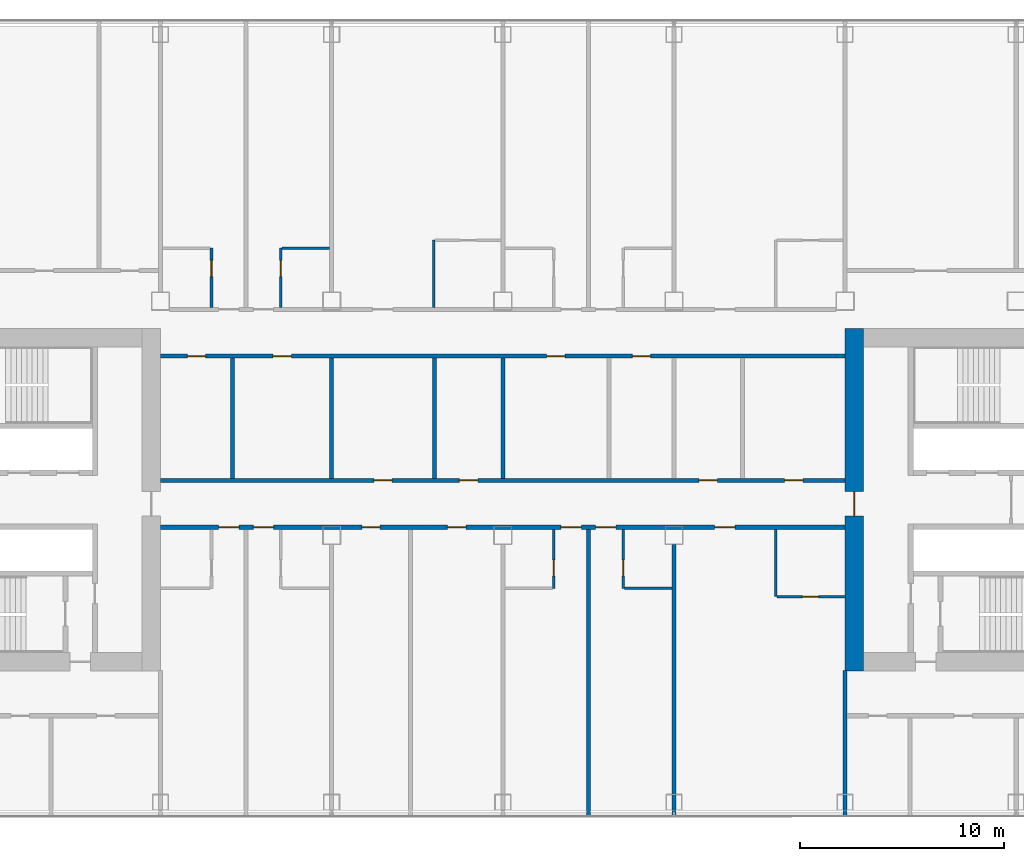
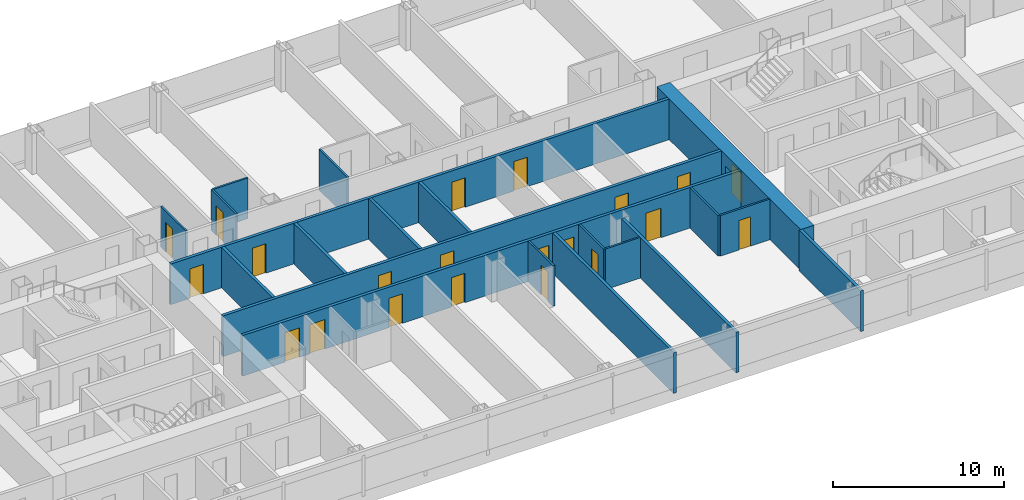
# One storey, part 17 of 29: 21 doors, 20 walls, 21 openings.
"""IFC4 building model written with IfcOpenShell, lengths in metres."""

from ifc_helpers import new_model, si_unit, direction, frame, frame_2d, origin, place, context, subcontext, project, spatial, rectangle, extrude, material, layer, layer_set, type_object, element, fill, save


model = new_model("IFC4")

# Units and contexts
model_context = context("Model", 3, precision=1e-05, world=origin(), true_north=direction((0.0, 1.0)))
body_context = subcontext(model_context, "Body", "Model", "MODEL_VIEW")
ifc_project = project(units=[si_unit("LENGTHUNIT", "METRE"), si_unit("AREAUNIT", "SQUARE_METRE"), si_unit("VOLUMEUNIT", "CUBIC_METRE"), si_unit("PLANEANGLEUNIT", "RADIAN"), si_unit("MASSUNIT", "GRAM", prefix="KILO")], contexts=[model_context])

# Site, building, storey
site_placement = place(None, origin())
site = spatial("IfcSite", under=ifc_project, at=site_placement, CompositionType="ELEMENT")
building_placement = place(site_placement, origin())
building = spatial("IfcBuilding", under=site, at=building_placement, Name="Hakoniwa Tower and Hamabe Station Hall", CompositionType="ELEMENT")
storey_placement = place(building_placement, frame((0.0, 0.0, 117.0)))
storey = spatial("IfcBuildingStorey", under=building, at=storey_placement, Name="L33", CompositionType="ELEMENT", Elevation=117.0)

# Wall, opening, door
ifc_material_1 = material(Name="Gypsum board partition", Category="gypsum")
ifc_layer_1 = layer(ifc_material_1, 0.125)
ifc_layer_set_1 = layer_set([ifc_layer_1], Name="Bathroom Partition 125")
wall_type_1 = type_object("IfcWallType", Name="Bathroom Partition 125", PredefinedType="PARTITIONING", material=ifc_layer_set_1)
wall_1_placement = place(storey_placement, frame((13.46240234375, -4.75, 0.0), z_axis=(0.0, 0.0, 1.0), x_axis=(1.0, 0.0, 0.0)))
wall_1 = element("IfcWall", 1, at=wall_1_placement, inside=storey, type_object=wall_type_1, Name="GW-L33-006", PredefinedType="PARTITIONING", context=body_context, shape_type="SweptSolid", body=[
    extrude(rectangle(XDim=3.34765625, YDim=0.125, at=frame_2d((1.673828125, 0.0))), origin(), (0.0, 0.0, 1.0), 2.89990234375),
])
opening_1_placement = place(wall_1_placement, frame((1.237548828125, 0.0, 0.0)))
opening_1 = element("IfcOpeningElement", 2, at=opening_1_placement, cuts=wall_1, Name="Opening GD-G2D2-19", PredefinedType="OPENING", context=body_context, shape_type="SweptSolid", body=[
    extrude(rectangle(XDim=0.800048828125, YDim=2.10009765625, at=frame_2d((0.39990234375, 1.050048828125))), frame((0.0, 0.072509765625, 0.0), z_axis=(0.0, -1.0, 0.0), x_axis=(1.0, 0.0, 0.0)), (0.0, 0.0, 1.0), 0.14501953125),
])
ifc_material_2 = material(Name="Timber door leaf", Category="wood")
door_type_1 = type_object("IfcDoorType", Name="Bathroom Door 800", OperationType="SINGLE_SWING_LEFT", PredefinedType="DOOR", material=ifc_material_2)
door_1_placement = place(opening_1_placement, origin())
door_1 = element("IfcDoor", 3, at=door_1_placement, inside=storey, type_object=door_type_1, Name="Door GD-G2D2-19", OperationType="SINGLE_SWING_RIGHT", OverallHeight=2.10009765625, OverallWidth=0.800048828125, PredefinedType="DOOR", context=body_context, shape_type="SweptSolid", body=[
    extrude(rectangle(XDim=0.800048828125, YDim=2.10009765625, at=frame_2d((0.39990234375, 1.050048828125))), frame((0.0, 0.02490234375, 0.0), z_axis=(0.0, -1.0, 0.0), x_axis=(1.0, 0.0, 0.0)), (0.0, 0.0, 1.0), 0.050048828125),
])
fill(opening_1, door_1)

# Walls
wall_2_placement = place(storey_placement, frame((5.96240234375, -4.35009765625, 0.0), z_axis=(0.0, 0.0, 1.0), x_axis=(1.0, 0.0, 0.0)))
element("IfcWall", 4, at=wall_2_placement, inside=storey, type_object=wall_type_1, Name="GW-L33-010", PredefinedType="PARTITIONING", context=body_context, shape_type="SweptSolid", body=[
    extrude(rectangle(XDim=2.337646484375, YDim=0.125, at=frame_2d((1.1689453125, 0.0))), origin(), (0.0, 0.0, 1.0), 2.89990234375),
])
wall_3_placement = place(storey_placement, frame((-10.83740234375, 12.35009765625, 0.0), z_axis=(0.0, 0.0, 1.0), x_axis=(1.0, 0.0, 0.0)))
element("IfcWall", 5, at=wall_3_placement, inside=storey, type_object=wall_type_1, Name="GW-L33-024", PredefinedType="PARTITIONING", context=body_context, shape_type="SweptSolid", body=[
    extrude(rectangle(XDim=2.33740234375, YDim=0.125, at=frame_2d((1.168701171875, 0.0))), origin(), (0.0, 0.0, 1.0), 2.89990234375),
])

# Wall, opening, door
wall_4_placement = place(storey_placement, frame((-14.300048828125, 9.449951171875, 0.0), z_axis=(0.0, 0.0, 1.0), x_axis=(0.0, 1.0, 0.0)))
wall_4 = element("IfcWall", 6, at=wall_4_placement, inside=storey, type_object=wall_type_1, Name="GW-L33-045", PredefinedType="PARTITIONING", context=body_context, shape_type="SweptSolid", body=[
    extrude(rectangle(XDim=2.900146484375, YDim=0.125, at=frame_2d((1.4501953125, 0.0))), origin(), (0.0, 0.0, 1.0), 2.89990234375),
])
opening_2_placement = place(wall_4_placement, frame((1.5, 0.0, 0.0)))
opening_2 = element("IfcOpeningElement", 7, at=opening_2_placement, cuts=wall_4, Name="Opening GD-G2D2-56", PredefinedType="OPENING", context=body_context, shape_type="SweptSolid", body=[
    extrude(rectangle(XDim=0.800048828125, YDim=2.10009765625, at=frame_2d((0.39990234375, 1.050048828125))), frame((0.0, 0.072509765625, 0.0), z_axis=(0.0, -1.0, 0.0), x_axis=(1.0, 0.0, 0.0)), (0.0, 0.0, 1.0), 0.14501953125),
])
door_2_placement = place(opening_2_placement, origin())
door_2 = element("IfcDoor", 8, at=door_2_placement, inside=storey, type_object=door_type_1, Name="Door GD-G2D2-56", OperationType="SINGLE_SWING_LEFT", OverallHeight=2.10009765625, OverallWidth=0.800048828125, PredefinedType="DOOR", context=body_context, shape_type="SweptSolid", body=[
    extrude(rectangle(XDim=0.800048828125, YDim=2.10009765625, at=frame_2d((0.39990234375, 1.050048828125))), frame((0.0, 0.02490234375, 0.0), z_axis=(0.0, -1.0, 0.0), x_axis=(1.0, 0.0, 0.0)), (0.0, 0.0, 1.0), 0.050048828125),
])
fill(opening_2, door_2)

wall_5_placement = place(storey_placement, frame((-10.89990234375, 9.449951171875, 0.0), z_axis=(0.0, 0.0, 1.0), x_axis=(0.0, 1.0, 0.0)))
wall_5 = element("IfcWall", 9, at=wall_5_placement, inside=storey, type_object=wall_type_1, Name="GW-L33-050", PredefinedType="PARTITIONING", context=body_context, shape_type="SweptSolid", body=[
    extrude(rectangle(XDim=2.900146484375, YDim=0.125, at=frame_2d((1.4501953125, 0.0))), origin(), (0.0, 0.0, 1.0), 2.89990234375),
])
opening_3_placement = place(wall_5_placement, frame((1.5, 0.0, 0.0)))
opening_3 = element("IfcOpeningElement", 10, at=opening_3_placement, cuts=wall_5, Name="Opening GD-G2D2-58", PredefinedType="OPENING", context=body_context, shape_type="SweptSolid", body=[
    extrude(rectangle(XDim=0.800048828125, YDim=2.10009765625, at=frame_2d((0.39990234375, 1.050048828125))), frame((0.0, 0.072509765625, 0.0), z_axis=(0.0, -1.0, 0.0), x_axis=(1.0, 0.0, 0.0)), (0.0, 0.0, 1.0), 0.14501953125),
])
door_3_placement = place(opening_3_placement, origin())
door_3 = element("IfcDoor", 11, at=door_3_placement, inside=storey, type_object=door_type_1, Name="Door GD-G2D2-58", OperationType="SINGLE_SWING_RIGHT", OverallHeight=2.10009765625, OverallWidth=0.800048828125, PredefinedType="DOOR", context=body_context, shape_type="SweptSolid", body=[
    extrude(rectangle(XDim=0.800048828125, YDim=2.10009765625, at=frame_2d((0.39990234375, 1.050048828125))), frame((0.0, 0.02490234375, 0.0), z_axis=(0.0, -1.0, 0.0), x_axis=(1.0, 0.0, 0.0)), (0.0, 0.0, 1.0), 0.050048828125),
])
fill(opening_3, door_3)

# Wall
wall_6_placement = place(storey_placement, frame((-3.39990234375, 9.449951171875, 0.0), z_axis=(0.0, 0.0, 1.0), x_axis=(0.0, 1.0, 0.0)))
element("IfcWall", 12, at=wall_6_placement, inside=storey, type_object=wall_type_1, Name="GW-L33-055", PredefinedType="PARTITIONING", context=body_context, shape_type="SweptSolid", body=[
    extrude(rectangle(XDim=3.300048828125, YDim=0.125, at=frame_2d((1.64990234375, 0.0))), origin(), (0.0, 0.0, 1.0), 2.89990234375),
])

# Wall, opening, door
wall_7_placement = place(storey_placement, frame((2.5, -4.35009765625, 0.0), z_axis=(0.0, 0.0, 1.0), x_axis=(0.0, 1.0, 0.0)))
wall_7 = element("IfcWall", 13, at=wall_7_placement, inside=storey, type_object=wall_type_1, Name="GW-L33-060", PredefinedType="PARTITIONING", context=body_context, shape_type="SweptSolid", body=[
    extrude(rectangle(XDim=2.900146484375, YDim=0.125, at=frame_2d((1.4501953125, 0.0))), origin(), (0.0, 0.0, 1.0), 2.89990234375),
])
opening_4_placement = place(wall_7_placement, frame((0.60009765625, 0.0, 0.0)))
opening_4 = element("IfcOpeningElement", 14, at=opening_4_placement, cuts=wall_7, Name="Opening GD-G2D2-59", PredefinedType="OPENING", context=body_context, shape_type="SweptSolid", body=[
    extrude(rectangle(XDim=0.800048828125, YDim=2.10009765625, at=frame_2d((0.39990234375, 1.050048828125))), frame((0.0, 0.072509765625, 0.0), z_axis=(0.0, -1.0, 0.0), x_axis=(1.0, 0.0, 0.0)), (0.0, 0.0, 1.0), 0.14501953125),
])
door_4_placement = place(opening_4_placement, origin())
door_4 = element("IfcDoor", 15, at=door_4_placement, inside=storey, type_object=door_type_1, Name="Door GD-G2D2-59", OperationType="SINGLE_SWING_RIGHT", OverallHeight=2.10009765625, OverallWidth=0.800048828125, PredefinedType="DOOR", context=body_context, shape_type="SweptSolid", body=[
    extrude(rectangle(XDim=0.800048828125, YDim=2.10009765625, at=frame_2d((0.39990234375, 1.050048828125))), frame((0.0, 0.02490234375, 0.0), z_axis=(0.0, -1.0, 0.0), x_axis=(1.0, 0.0, 0.0)), (0.0, 0.0, 1.0), 0.050048828125),
])
fill(opening_4, door_4)

wall_8_placement = place(storey_placement, frame((5.89990234375, -4.35009765625, 0.0), z_axis=(0.0, 0.0, 1.0), x_axis=(0.0, 1.0, 0.0)))
wall_8 = element("IfcWall", 16, at=wall_8_placement, inside=storey, type_object=wall_type_1, Name="GW-L33-065", PredefinedType="PARTITIONING", context=body_context, shape_type="SweptSolid", body=[
    extrude(rectangle(XDim=2.900146484375, YDim=0.125, at=frame_2d((1.4501953125, 0.0))), origin(), (0.0, 0.0, 1.0), 2.89990234375),
])
opening_5_placement = place(wall_8_placement, frame((0.60009765625, 0.0, 0.0)))
opening_5 = element("IfcOpeningElement", 17, at=opening_5_placement, cuts=wall_8, Name="Opening GD-G2D2-61", PredefinedType="OPENING", context=body_context, shape_type="SweptSolid", body=[
    extrude(rectangle(XDim=0.800048828125, YDim=2.10009765625, at=frame_2d((0.39990234375, 1.050048828125))), frame((0.0, 0.072509765625, 0.0), z_axis=(0.0, -1.0, 0.0), x_axis=(1.0, 0.0, 0.0)), (0.0, 0.0, 1.0), 0.14501953125),
])
door_5_placement = place(opening_5_placement, origin())
door_5 = element("IfcDoor", 18, at=door_5_placement, inside=storey, type_object=door_type_1, Name="Door GD-G2D2-61", OperationType="SINGLE_SWING_LEFT", OverallHeight=2.10009765625, OverallWidth=0.800048828125, PredefinedType="DOOR", context=body_context, shape_type="SweptSolid", body=[
    extrude(rectangle(XDim=0.800048828125, YDim=2.10009765625, at=frame_2d((0.39990234375, 1.050048828125))), frame((0.0, 0.02490234375, 0.0), z_axis=(0.0, -1.0, 0.0), x_axis=(1.0, 0.0, 0.0)), (0.0, 0.0, 1.0), 0.050048828125),
])
fill(opening_5, door_5)

# Wall
wall_9_placement = place(storey_placement, frame((13.39990234375, -4.75, 0.0), z_axis=(0.0, 0.0, 1.0), x_axis=(0.0, 1.0, 0.0)))
element("IfcWall", 19, at=wall_9_placement, inside=storey, type_object=wall_type_1, Name="GW-L33-071", PredefinedType="PARTITIONING", context=body_context, shape_type="SweptSolid", body=[
    extrude(rectangle(XDim=3.300048828125, YDim=0.125, at=frame_2d((1.64990234375, 0.0))), origin(), (0.0, 0.0, 1.0), 2.89990234375),
])

# Wall, opening, door
ifc_material_3 = material(Name="Concrete C72", Category="concrete")
ifc_layer_2 = layer(ifc_material_3, 0.89990234375)
ifc_layer_set_2 = layer_set([ifc_layer_2], Name="CORE WALL 900 C72")
wall_type_2 = type_object("IfcWallType", Name="CORE WALL 900 C72", PredefinedType="SHEAR", material=ifc_layer_set_2)
wall_10_placement = place(storey_placement, frame((17.25, -8.39990234375, 0.0), z_axis=(0.0, 0.0, 1.0), x_axis=(0.0, 1.0, 0.0)))
wall_10 = element("IfcWall", 20, at=wall_10_placement, inside=storey, type_object=wall_type_2, Name="Core wall INNER east", PredefinedType="SHEAR", context=body_context, shape_type="SweptSolid", body=[
    extrude(rectangle(XDim=16.7998046875, YDim=0.89990234375, at=frame_2d((8.39990234375, 0.0))), origin(), (0.0, 0.0, 1.0), 2.89990234375),
])
opening_6_placement = place(wall_10_placement, frame((7.60009765625, 0.0, 0.0)))
opening_6 = element("IfcOpeningElement", 21, at=opening_6_placement, cuts=wall_10, Name="Opening CD-E-IN1-12", PredefinedType="OPENING", context=body_context, shape_type="SweptSolid", body=[
    extrude(rectangle(XDim=1.199951171875, YDim=2.10009765625, at=frame_2d((0.60009765625, 1.050048828125))), frame((0.0, 0.4599609375, 0.0), z_axis=(0.0, -1.0, 0.0), x_axis=(1.0, 0.0, 0.0)), (0.0, 0.0, 1.0), 0.919921875),
])
ifc_material_4 = material(Name="Steel fire door", Category="steel")
door_type_2 = type_object("IfcDoorType", Name="CORE DOOR 1200 FD60", OperationType="DOUBLE_DOOR_SINGLE_SWING", PredefinedType="DOOR", material=ifc_material_4)
door_6_placement = place(opening_6_placement, origin())
door_6 = element("IfcDoor", 22, at=door_6_placement, inside=storey, type_object=door_type_2, Name="Lift lobby door", OperationType="DOUBLE_DOOR_SINGLE_SWING", OverallHeight=2.10009765625, OverallWidth=1.199951171875, PredefinedType="DOOR", context=body_context, shape_type="SweptSolid", body=[
    extrude(rectangle(XDim=1.199951171875, YDim=2.10009765625, at=frame_2d((0.60009765625, 1.050048828125))), frame((0.0, 0.02490234375, 0.0), z_axis=(0.0, -1.0, 0.0), x_axis=(1.0, 0.0, 0.0)), (0.0, 0.0, 1.0), 0.050048828125),
])
fill(opening_6, door_6)

# Wall, openings, doors
ifc_material_5 = material(Name="Fire-rated gypsum board partition", Category="gypsum")
ifc_layer_3 = layer(ifc_material_5, 0.199951171875)
ifc_layer_set_3 = layer_set([ifc_layer_3], Name="Corridor Wall 200")
wall_type_3 = type_object("IfcWallType", Name="Corridor Wall 200", PredefinedType="PARTITIONING", material=ifc_layer_set_3)
wall_11_placement = place(storey_placement, frame((-16.800048828125, -1.35009765625, 0.0), z_axis=(0.0, 0.0, 1.0), x_axis=(1.0, 0.0, 0.0)))
wall_11 = element("IfcWall", 23, at=wall_11_placement, inside=storey, type_object=wall_type_3, Name="GW-L33-011", PredefinedType="PARTITIONING", context=body_context, shape_type="SweptSolid", body=[
    extrude(rectangle(XDim=33.60009765625, YDim=0.199951171875, at=frame_2d((16.800048828125, 0.0))), origin(), (0.0, 0.0, 1.0), 2.89990234375),
])
opening_7_placement = place(wall_11_placement, frame((2.85009765625, 0.0, 0.0)))
opening_7 = element("IfcOpeningElement", 24, at=opening_7_placement, cuts=wall_11, Name="Opening GD-G2D2-20", PredefinedType="OPENING", context=body_context, shape_type="SweptSolid", body=[
    extrude(rectangle(XDim=1.0, YDim=2.10009765625, at=frame_2d((0.5, 1.050048828125))), frame((0.0, 0.10986328125, 0.0), z_axis=(0.0, -1.0, 0.0), x_axis=(1.0, 0.0, 0.0)), (0.0, 0.0, 1.0), 0.219970703125),
])
opening_8_placement = place(wall_11_placement, frame((4.550048828125, 0.0, 0.0)))
opening_8 = element("IfcOpeningElement", 25, at=opening_8_placement, cuts=wall_11, Name="Opening GD-G2D2-21", PredefinedType="OPENING", context=body_context, shape_type="SweptSolid", body=[
    extrude(rectangle(XDim=1.0, YDim=2.10009765625, at=frame_2d((0.5, 1.050048828125))), frame((0.0, 0.10986328125, 0.0), z_axis=(0.0, -1.0, 0.0), x_axis=(1.0, 0.0, 0.0)), (0.0, 0.0, 1.0), 0.219970703125),
])
opening_9_placement = place(wall_11_placement, frame((9.8798828125, 0.0, 0.0)))
opening_9 = element("IfcOpeningElement", 26, at=opening_9_placement, cuts=wall_11, Name="Opening GD-G2D2-22", PredefinedType="OPENING", context=body_context, shape_type="SweptSolid", body=[
    extrude(rectangle(XDim=0.89990234375, YDim=2.10009765625, at=frame_2d((0.449951171875, 1.050048828125))), frame((0.0, 0.10986328125, 0.0), z_axis=(0.0, -1.0, 0.0), x_axis=(1.0, 0.0, 0.0)), (0.0, 0.0, 1.0), 0.219970703125),
])
opening_10_placement = place(wall_11_placement, frame((14.080078125, 0.0, 0.0)))
opening_10 = element("IfcOpeningElement", 27, at=opening_10_placement, cuts=wall_11, Name="Opening GD-G2D2-23", PredefinedType="OPENING", context=body_context, shape_type="SweptSolid", body=[
    extrude(rectangle(XDim=0.89990234375, YDim=2.10009765625, at=frame_2d((0.449951171875, 1.050048828125))), frame((0.0, 0.10986328125, 0.0), z_axis=(0.0, -1.0, 0.0), x_axis=(1.0, 0.0, 0.0)), (0.0, 0.0, 1.0), 0.219970703125),
])
opening_11_placement = place(wall_11_placement, frame((19.64990234375, 0.0, 0.0)))
opening_11 = element("IfcOpeningElement", 28, at=opening_11_placement, cuts=wall_11, Name="Opening GD-G2D2-24", PredefinedType="OPENING", context=body_context, shape_type="SweptSolid", body=[
    extrude(rectangle(XDim=1.0, YDim=2.10009765625, at=frame_2d((0.5, 1.050048828125))), frame((0.0, 0.10986328125, 0.0), z_axis=(0.0, -1.0, 0.0), x_axis=(1.0, 0.0, 0.0)), (0.0, 0.0, 1.0), 0.219970703125),
])
opening_12_placement = place(wall_11_placement, frame((21.35009765625, 0.0, 0.0)))
opening_12 = element("IfcOpeningElement", 29, at=opening_12_placement, cuts=wall_11, Name="Opening GD-G2D2-25", PredefinedType="OPENING", context=body_context, shape_type="SweptSolid", body=[
    extrude(rectangle(XDim=1.0, YDim=2.10009765625, at=frame_2d((0.5, 1.050048828125))), frame((0.0, 0.10986328125, 0.0), z_axis=(0.0, -1.0, 0.0), x_axis=(1.0, 0.0, 0.0)), (0.0, 0.0, 1.0), 0.219970703125),
])
opening_13_placement = place(wall_11_placement, frame((27.199951171875, 0.0, 0.0)))
opening_13 = element("IfcOpeningElement", 30, at=opening_13_placement, cuts=wall_11, Name="Opening GD-G2D2-26", PredefinedType="OPENING", context=body_context, shape_type="SweptSolid", body=[
    extrude(rectangle(XDim=1.0, YDim=2.10009765625, at=frame_2d((0.5, 1.050048828125))), frame((0.0, 0.10986328125, 0.0), z_axis=(0.0, -1.0, 0.0), x_axis=(1.0, 0.0, 0.0)), (0.0, 0.0, 1.0), 0.219970703125),
])
ifc_material_6 = material(Name="Timber door leaf", Category="wood")
door_type_3 = type_object("IfcDoorType", Name="Guest Entrance Door 1000", OperationType="SINGLE_SWING_LEFT", PredefinedType="DOOR", material=ifc_material_6)
door_7_placement = place(opening_7_placement, origin())
door_7 = element("IfcDoor", 31, at=door_7_placement, inside=storey, type_object=door_type_3, Name="Door GD-G2D2-20", OperationType="SINGLE_SWING_RIGHT", OverallHeight=2.10009765625, OverallWidth=1.0, PredefinedType="DOOR", context=body_context, shape_type="SweptSolid", body=[
    extrude(rectangle(XDim=1.0, YDim=2.10009765625, at=frame_2d((0.5, 1.050048828125))), frame((0.0, 0.02490234375, 0.0), z_axis=(0.0, -1.0, 0.0), x_axis=(1.0, 0.0, 0.0)), (0.0, 0.0, 1.0), 0.050048828125),
])
fill(opening_7, door_7)
door_8_placement = place(opening_8_placement, origin())
door_8 = element("IfcDoor", 32, at=door_8_placement, inside=storey, type_object=door_type_3, Name="Door GD-G2D2-21", OperationType="SINGLE_SWING_LEFT", OverallHeight=2.10009765625, OverallWidth=1.0, PredefinedType="DOOR", context=body_context, shape_type="SweptSolid", body=[
    extrude(rectangle(XDim=1.0, YDim=2.10009765625, at=frame_2d((0.5, 1.050048828125))), frame((0.0, 0.02490234375, 0.0), z_axis=(0.0, -1.0, 0.0), x_axis=(1.0, 0.0, 0.0)), (0.0, 0.0, 1.0), 0.050048828125),
])
fill(opening_8, door_8)
door_9_placement = place(opening_11_placement, origin())
door_9 = element("IfcDoor", 33, at=door_9_placement, inside=storey, type_object=door_type_3, Name="Door GD-G2D2-24", OperationType="SINGLE_SWING_RIGHT", OverallHeight=2.10009765625, OverallWidth=1.0, PredefinedType="DOOR", context=body_context, shape_type="SweptSolid", body=[
    extrude(rectangle(XDim=1.0, YDim=2.10009765625, at=frame_2d((0.5, 1.050048828125))), frame((0.0, 0.02490234375, 0.0), z_axis=(0.0, -1.0, 0.0), x_axis=(1.0, 0.0, 0.0)), (0.0, 0.0, 1.0), 0.050048828125),
])
fill(opening_11, door_9)
door_10_placement = place(opening_12_placement, origin())
door_10 = element("IfcDoor", 34, at=door_10_placement, inside=storey, type_object=door_type_3, Name="Door GD-G2D2-25", OperationType="SINGLE_SWING_LEFT", OverallHeight=2.10009765625, OverallWidth=1.0, PredefinedType="DOOR", context=body_context, shape_type="SweptSolid", body=[
    extrude(rectangle(XDim=1.0, YDim=2.10009765625, at=frame_2d((0.5, 1.050048828125))), frame((0.0, 0.02490234375, 0.0), z_axis=(0.0, -1.0, 0.0), x_axis=(1.0, 0.0, 0.0)), (0.0, 0.0, 1.0), 0.050048828125),
])
fill(opening_12, door_10)
door_11_placement = place(opening_13_placement, origin())
door_11 = element("IfcDoor", 35, at=door_11_placement, inside=storey, type_object=door_type_3, Name="Door GD-G2D2-26", OperationType="SINGLE_SWING_RIGHT", OverallHeight=2.10009765625, OverallWidth=1.0, PredefinedType="DOOR", context=body_context, shape_type="SweptSolid", body=[
    extrude(rectangle(XDim=1.0, YDim=2.10009765625, at=frame_2d((0.5, 1.050048828125))), frame((0.0, 0.02490234375, 0.0), z_axis=(0.0, -1.0, 0.0), x_axis=(1.0, 0.0, 0.0)), (0.0, 0.0, 1.0), 0.050048828125),
])
fill(opening_13, door_11)
ifc_material_7 = material(Name="Timber door leaf", Category="wood")
door_type_4 = type_object("IfcDoorType", Name="Service Door 900", OperationType="SINGLE_SWING_LEFT", PredefinedType="DOOR", material=ifc_material_7)
door_12_placement = place(opening_9_placement, origin())
door_12 = element("IfcDoor", 36, at=door_12_placement, inside=storey, type_object=door_type_4, Name="Door GD-G2D2-22", OperationType="SINGLE_SWING_RIGHT", OverallHeight=2.10009765625, OverallWidth=0.89990234375, PredefinedType="DOOR", context=body_context, shape_type="SweptSolid", body=[
    extrude(rectangle(XDim=0.89990234375, YDim=2.10009765625, at=frame_2d((0.449951171875, 1.050048828125))), frame((0.0, 0.02490234375, 0.0), z_axis=(0.0, -1.0, 0.0), x_axis=(1.0, 0.0, 0.0)), (0.0, 0.0, 1.0), 0.050048828125),
])
fill(opening_9, door_12)
door_13_placement = place(opening_10_placement, origin())
door_13 = element("IfcDoor", 37, at=door_13_placement, inside=storey, type_object=door_type_4, Name="Door GD-G2D2-23", OperationType="SINGLE_SWING_LEFT", OverallHeight=2.10009765625, OverallWidth=0.89990234375, PredefinedType="DOOR", context=body_context, shape_type="SweptSolid", body=[
    extrude(rectangle(XDim=0.89990234375, YDim=2.10009765625, at=frame_2d((0.449951171875, 1.050048828125))), frame((0.0, 0.02490234375, 0.0), z_axis=(0.0, -1.0, 0.0), x_axis=(1.0, 0.0, 0.0)), (0.0, 0.0, 1.0), 0.050048828125),
])
fill(opening_10, door_13)

wall_12_placement = place(storey_placement, frame((-16.800048828125, 0.949951171875, 0.0), z_axis=(0.0, 0.0, 1.0), x_axis=(1.0, 0.0, 0.0)))
wall_12 = element("IfcWall", 38, at=wall_12_placement, inside=storey, type_object=wall_type_3, Name="GW-L33-014", PredefinedType="PARTITIONING", context=body_context, shape_type="SweptSolid", body=[
    extrude(rectangle(XDim=33.60009765625, YDim=0.199951171875, at=frame_2d((16.800048828125, 0.0))), origin(), (0.0, 0.0, 1.0), 2.89990234375),
])
opening_14_placement = place(wall_12_placement, frame((10.469970703125, 0.0, 0.0)))
opening_14 = element("IfcOpeningElement", 39, at=opening_14_placement, cuts=wall_12, Name="Opening GD-G2D2-27", PredefinedType="OPENING", context=body_context, shape_type="SweptSolid", body=[
    extrude(rectangle(XDim=0.89990234375, YDim=2.10009765625, at=frame_2d((0.449951171875, 1.050048828125))), frame((0.0, 0.10986328125, 0.0), z_axis=(0.0, -1.0, 0.0), x_axis=(1.0, 0.0, 0.0)), (0.0, 0.0, 1.0), 0.219970703125),
])
opening_15_placement = place(wall_12_placement, frame((14.669921875, 0.0, 0.0)))
opening_15 = element("IfcOpeningElement", 40, at=opening_15_placement, cuts=wall_12, Name="Opening GD-G2D2-28", PredefinedType="OPENING", context=body_context, shape_type="SweptSolid", body=[
    extrude(rectangle(XDim=0.89990234375, YDim=2.10009765625, at=frame_2d((0.449951171875, 1.050048828125))), frame((0.0, 0.10986328125, 0.0), z_axis=(0.0, -1.0, 0.0), x_axis=(1.0, 0.0, 0.0)), (0.0, 0.0, 1.0), 0.219970703125),
])
opening_16_placement = place(wall_12_placement, frame((26.429931640625, 0.0, 0.0)))
opening_16 = element("IfcOpeningElement", 41, at=opening_16_placement, cuts=wall_12, Name="Opening GD-G2D2-29", PredefinedType="OPENING", context=body_context, shape_type="SweptSolid", body=[
    extrude(rectangle(XDim=0.89990234375, YDim=2.10009765625, at=frame_2d((0.449951171875, 1.050048828125))), frame((0.0, 0.10986328125, 0.0), z_axis=(0.0, -1.0, 0.0), x_axis=(1.0, 0.0, 0.0)), (0.0, 0.0, 1.0), 0.219970703125),
])
opening_17_placement = place(wall_12_placement, frame((30.6298828125, 0.0, 0.0)))
opening_17 = element("IfcOpeningElement", 42, at=opening_17_placement, cuts=wall_12, Name="Opening GD-G2D2-30", PredefinedType="OPENING", context=body_context, shape_type="SweptSolid", body=[
    extrude(rectangle(XDim=0.89990234375, YDim=2.10009765625, at=frame_2d((0.449951171875, 1.050048828125))), frame((0.0, 0.10986328125, 0.0), z_axis=(0.0, -1.0, 0.0), x_axis=(1.0, 0.0, 0.0)), (0.0, 0.0, 1.0), 0.219970703125),
])
door_14_placement = place(opening_14_placement, origin())
door_14 = element("IfcDoor", 43, at=door_14_placement, inside=storey, type_object=door_type_4, Name="Door GD-G2D2-27", OperationType="SINGLE_SWING_RIGHT", OverallHeight=2.10009765625, OverallWidth=0.89990234375, PredefinedType="DOOR", context=body_context, shape_type="SweptSolid", body=[
    extrude(rectangle(XDim=0.89990234375, YDim=2.10009765625, at=frame_2d((0.449951171875, 1.050048828125))), frame((0.0, 0.02490234375, 0.0), z_axis=(0.0, -1.0, 0.0), x_axis=(1.0, 0.0, 0.0)), (0.0, 0.0, 1.0), 0.050048828125),
])
fill(opening_14, door_14)
door_15_placement = place(opening_15_placement, origin())
door_15 = element("IfcDoor", 44, at=door_15_placement, inside=storey, type_object=door_type_4, Name="Door GD-G2D2-28", OperationType="SINGLE_SWING_LEFT", OverallHeight=2.10009765625, OverallWidth=0.89990234375, PredefinedType="DOOR", context=body_context, shape_type="SweptSolid", body=[
    extrude(rectangle(XDim=0.89990234375, YDim=2.10009765625, at=frame_2d((0.449951171875, 1.050048828125))), frame((0.0, 0.02490234375, 0.0), z_axis=(0.0, -1.0, 0.0), x_axis=(1.0, 0.0, 0.0)), (0.0, 0.0, 1.0), 0.050048828125),
])
fill(opening_15, door_15)
door_16_placement = place(opening_16_placement, origin())
door_16 = element("IfcDoor", 45, at=door_16_placement, inside=storey, type_object=door_type_4, Name="Door GD-G2D2-29", OperationType="SINGLE_SWING_RIGHT", OverallHeight=2.10009765625, OverallWidth=0.89990234375, PredefinedType="DOOR", context=body_context, shape_type="SweptSolid", body=[
    extrude(rectangle(XDim=0.89990234375, YDim=2.10009765625, at=frame_2d((0.449951171875, 1.050048828125))), frame((0.0, 0.02490234375, 0.0), z_axis=(0.0, -1.0, 0.0), x_axis=(1.0, 0.0, 0.0)), (0.0, 0.0, 1.0), 0.050048828125),
])
fill(opening_16, door_16)
door_17_placement = place(opening_17_placement, origin())
door_17 = element("IfcDoor", 46, at=door_17_placement, inside=storey, type_object=door_type_4, Name="Door GD-G2D2-30", OperationType="SINGLE_SWING_RIGHT", OverallHeight=2.10009765625, OverallWidth=0.89990234375, PredefinedType="DOOR", context=body_context, shape_type="SweptSolid", body=[
    extrude(rectangle(XDim=0.89990234375, YDim=2.10009765625, at=frame_2d((0.449951171875, 1.050048828125))), frame((0.0, 0.02490234375, 0.0), z_axis=(0.0, -1.0, 0.0), x_axis=(1.0, 0.0, 0.0)), (0.0, 0.0, 1.0), 0.050048828125),
])
fill(opening_17, door_17)

wall_13_placement = place(storey_placement, frame((-16.800048828125, 7.050048828125, 0.0), z_axis=(0.0, 0.0, 1.0), x_axis=(1.0, 0.0, 0.0)))
wall_13 = element("IfcWall", 47, at=wall_13_placement, inside=storey, type_object=wall_type_3, Name="GW-L33-017", PredefinedType="PARTITIONING", context=body_context, shape_type="SweptSolid", body=[
    extrude(rectangle(XDim=33.60009765625, YDim=0.199951171875, at=frame_2d((16.800048828125, 0.0))), origin(), (0.0, 0.0, 1.0), 2.89990234375),
])
opening_18_placement = place(wall_13_placement, frame((1.31494140625, 0.0, 0.0)))
opening_18 = element("IfcOpeningElement", 48, at=opening_18_placement, cuts=wall_13, Name="Opening GD-G2D2-31", PredefinedType="OPENING", context=body_context, shape_type="SweptSolid", body=[
    extrude(rectangle(XDim=0.89990234375, YDim=2.10009765625, at=frame_2d((0.449951171875, 1.050048828125))), frame((0.0, 0.10986328125, 0.0), z_axis=(0.0, -1.0, 0.0), x_axis=(1.0, 0.0, 0.0)), (0.0, 0.0, 1.0), 0.219970703125),
])
opening_19_placement = place(wall_13_placement, frame((5.514892578125, 0.0, 0.0)))
opening_19 = element("IfcOpeningElement", 49, at=opening_19_placement, cuts=wall_13, Name="Opening GD-G2D2-32", PredefinedType="OPENING", context=body_context, shape_type="SweptSolid", body=[
    extrude(rectangle(XDim=0.89990234375, YDim=2.10009765625, at=frame_2d((0.449951171875, 1.050048828125))), frame((0.0, 0.10986328125, 0.0), z_axis=(0.0, -1.0, 0.0), x_axis=(1.0, 0.0, 0.0)), (0.0, 0.0, 1.0), 0.219970703125),
])
opening_20_placement = place(wall_13_placement, frame((18.955078125, 0.0, 0.0)))
opening_20 = element("IfcOpeningElement", 50, at=opening_20_placement, cuts=wall_13, Name="Opening GD-G2D2-33", PredefinedType="OPENING", context=body_context, shape_type="SweptSolid", body=[
    extrude(rectangle(XDim=0.89990234375, YDim=2.10009765625, at=frame_2d((0.449951171875, 1.050048828125))), frame((0.0, 0.10986328125, 0.0), z_axis=(0.0, -1.0, 0.0), x_axis=(1.0, 0.0, 0.0)), (0.0, 0.0, 1.0), 0.219970703125),
])
opening_21_placement = place(wall_13_placement, frame((23.155029296875, 0.0, 0.0)))
opening_21 = element("IfcOpeningElement", 51, at=opening_21_placement, cuts=wall_13, Name="Opening GD-G2D2-34", PredefinedType="OPENING", context=body_context, shape_type="SweptSolid", body=[
    extrude(rectangle(XDim=0.89990234375, YDim=2.10009765625, at=frame_2d((0.449951171875, 1.050048828125))), frame((0.0, 0.10986328125, 0.0), z_axis=(0.0, -1.0, 0.0), x_axis=(1.0, 0.0, 0.0)), (0.0, 0.0, 1.0), 0.219970703125),
])
door_18_placement = place(opening_18_placement, origin())
door_18 = element("IfcDoor", 52, at=door_18_placement, inside=storey, type_object=door_type_4, Name="Door GD-G2D2-31", OperationType="SINGLE_SWING_RIGHT", OverallHeight=2.10009765625, OverallWidth=0.89990234375, PredefinedType="DOOR", context=body_context, shape_type="SweptSolid", body=[
    extrude(rectangle(XDim=0.89990234375, YDim=2.10009765625, at=frame_2d((0.449951171875, 1.050048828125))), frame((0.0, 0.02490234375, 0.0), z_axis=(0.0, -1.0, 0.0), x_axis=(1.0, 0.0, 0.0)), (0.0, 0.0, 1.0), 0.050048828125),
])
fill(opening_18, door_18)
door_19_placement = place(opening_19_placement, origin())
door_19 = element("IfcDoor", 53, at=door_19_placement, inside=storey, type_object=door_type_4, Name="Door GD-G2D2-32", OperationType="SINGLE_SWING_LEFT", OverallHeight=2.10009765625, OverallWidth=0.89990234375, PredefinedType="DOOR", context=body_context, shape_type="SweptSolid", body=[
    extrude(rectangle(XDim=0.89990234375, YDim=2.10009765625, at=frame_2d((0.449951171875, 1.050048828125))), frame((0.0, 0.02490234375, 0.0), z_axis=(0.0, -1.0, 0.0), x_axis=(1.0, 0.0, 0.0)), (0.0, 0.0, 1.0), 0.050048828125),
])
fill(opening_19, door_19)
door_20_placement = place(opening_20_placement, origin())
door_20 = element("IfcDoor", 54, at=door_20_placement, inside=storey, type_object=door_type_4, Name="Door GD-G2D2-33", OperationType="SINGLE_SWING_RIGHT", OverallHeight=2.10009765625, OverallWidth=0.89990234375, PredefinedType="DOOR", context=body_context, shape_type="SweptSolid", body=[
    extrude(rectangle(XDim=0.89990234375, YDim=2.10009765625, at=frame_2d((0.449951171875, 1.050048828125))), frame((0.0, 0.02490234375, 0.0), z_axis=(0.0, -1.0, 0.0), x_axis=(1.0, 0.0, 0.0)), (0.0, 0.0, 1.0), 0.050048828125),
])
fill(opening_20, door_20)
door_21_placement = place(opening_21_placement, origin())
door_21 = element("IfcDoor", 55, at=door_21_placement, inside=storey, type_object=door_type_4, Name="Door GD-G2D2-34", OperationType="SINGLE_SWING_LEFT", OverallHeight=2.10009765625, OverallWidth=0.89990234375, PredefinedType="DOOR", context=body_context, shape_type="SweptSolid", body=[
    extrude(rectangle(XDim=0.89990234375, YDim=2.10009765625, at=frame_2d((0.449951171875, 1.050048828125))), frame((0.0, 0.02490234375, 0.0), z_axis=(0.0, -1.0, 0.0), x_axis=(1.0, 0.0, 0.0)), (0.0, 0.0, 1.0), 0.050048828125),
])
fill(opening_21, door_21)

# Walls
ifc_material_8 = material(Name="Fire-rated gypsum board partition", Category="gypsum")
ifc_layer_4 = layer(ifc_material_8, 0.199951171875)
ifc_layer_set_4 = layer_set([ifc_layer_4], Name="Party Wall 200")
wall_type_4 = type_object("IfcWallType", Name="Party Wall 200", PredefinedType="PARTITIONING", material=ifc_layer_set_4)
for number, where, z_axis, x_axis, name in (
    (56, (-13.27001953125, 1.050048828125, 0.0), (0.0, 0.0, 1.0), (0.0, 1.0, 0.0), "GW-L33-046"),
    (57, (-8.39990234375, 1.050048828125, 0.0), (0.0, 0.0, 1.0), (0.0, 1.0, 0.0), "GW-L33-052"),
    (58, (-3.360107421875, 1.050048828125, 0.0), (0.0, 0.0, 1.0), (0.0, 1.0, 0.0), "GW-L33-056"),
    (59, (0.0, 1.050048828125, 0.0), (0.0, 0.0, 1.0), (0.0, 1.0, 0.0), "GW-L33-058"),
):
    element("IfcWall", number, at=place(storey_placement, frame(where, z_axis=z_axis, x_axis=x_axis)), inside=storey, type_object=wall_type_4, Name=name, PredefinedType="PARTITIONING", context=body_context, shape_type="SweptSolid", body=[
        extrude(rectangle(XDim=5.89990234375, YDim=0.199951171875, at=frame_2d((2.949951171875, 0.0))), origin(), (0.0, 0.0, 1.0), 2.89990234375),
    ])
wall_14_placement = place(storey_placement, frame((4.199951171875, -15.550048828125, 0.0), z_axis=(0.0, 0.0, 1.0), x_axis=(0.0, 1.0, 0.0)))
element("IfcWall", 60, at=wall_14_placement, inside=storey, type_object=wall_type_4, Name="GW-L33-062", PredefinedType="PARTITIONING", context=body_context, shape_type="SweptSolid", body=[
    extrude(rectangle(XDim=14.10009765625, YDim=0.199951171875, at=frame_2d((7.050048828125, 0.0))), origin(), (0.0, 0.0, 1.0), 2.89990234375),
])
wall_15_placement = place(storey_placement, frame((8.39990234375, -15.550048828125, 0.0), z_axis=(0.0, 0.0, 1.0), x_axis=(0.0, 1.0, 0.0)))
element("IfcWall", 61, at=wall_15_placement, inside=storey, type_object=wall_type_4, Name="GW-L33-067", PredefinedType="PARTITIONING", context=body_context, shape_type="SweptSolid", body=[
    extrude(rectangle(XDim=13.360107421875, YDim=0.199951171875, at=frame_2d((6.68017578125, 0.0))), origin(), (0.0, 0.0, 1.0), 2.89990234375),
])
wall_16_placement = place(storey_placement, frame((16.800048828125, -15.550048828125, 0.0), z_axis=(0.0, 0.0, 1.0), x_axis=(0.0, 1.0, 0.0)))
element("IfcWall", 62, at=wall_16_placement, inside=storey, type_object=wall_type_4, Name="GW-L33-073", PredefinedType="PARTITIONING", context=body_context, shape_type="SweptSolid", body=[
    extrude(rectangle(XDim=7.16015625, YDim=0.199951171875, at=frame_2d((3.580078125, 0.0))), origin(), (0.0, 0.0, 1.0), 2.89990234375),
])

save(model, "model.ifc")
